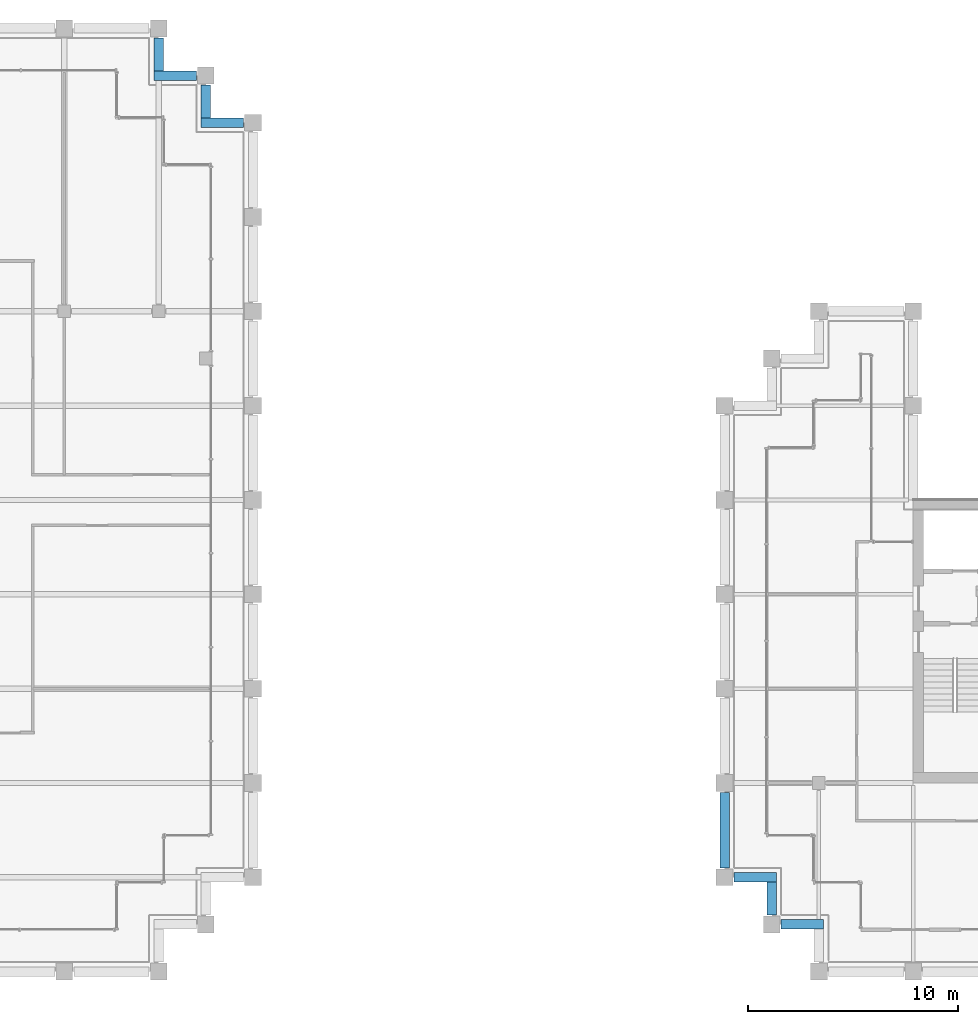
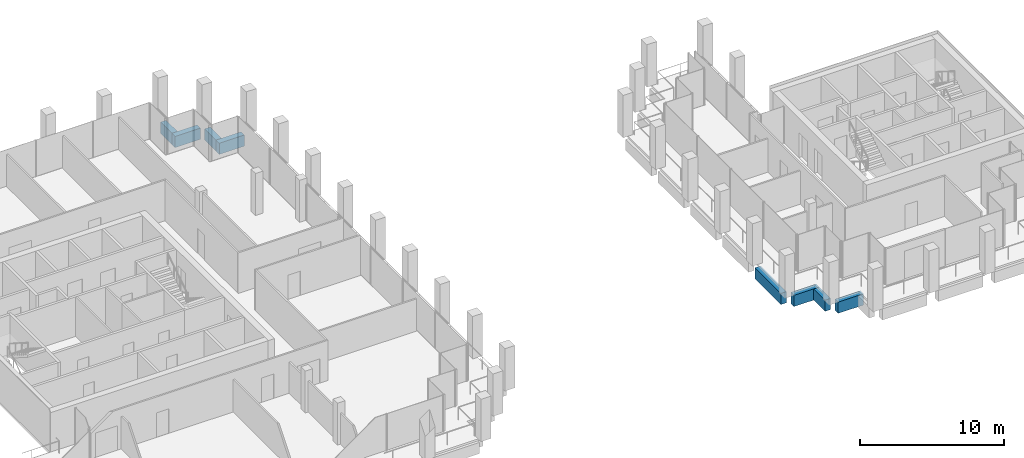
# One storey, part 27 of 40: 8 beams.
"""IFC4 building model written with IfcOpenShell, lengths in metres."""

from ifc_helpers import new_model, si_unit, direction, frame, origin, origin_2d, place, context, subcontext, project, spatial, rectangle, extrude, material, material_profile, profile_set, type_object, element, save


model = new_model("IFC4")

# Units and contexts
model_context = context("Model", 3, precision=1e-05, world=origin(), true_north=direction((0.0, 1.0)))
body_context = subcontext(model_context, "Body", "Model", "MODEL_VIEW")
ifc_project = project(units=[si_unit("LENGTHUNIT", "METRE"), si_unit("AREAUNIT", "SQUARE_METRE"), si_unit("VOLUMEUNIT", "CUBIC_METRE"), si_unit("PLANEANGLEUNIT", "RADIAN"), si_unit("MASSUNIT", "GRAM", prefix="KILO")], contexts=[model_context])

# Site, building, storey
site_placement = place(None, origin())
site = spatial("IfcSite", under=ifc_project, at=site_placement, CompositionType="ELEMENT")
building_placement = place(site_placement, origin())
building = spatial("IfcBuilding", under=site, at=building_placement, Name="Altepetl Exchange Towers", CompositionType="ELEMENT")
storey_placement = place(building_placement, frame((0.0, 0.0, 195.60009765625)))
storey = spatial("IfcBuildingStorey", under=building, at=storey_placement, Name="L49", CompositionType="ELEMENT", Elevation=195.60009765625)

# Beams
ifc_material_1 = material(Name="Concrete C50/60 precast with cantera rosa facing", Category="concrete")
ifc_material_profile_1 = material_profile(ifc_material_1, rectangle(XDim=0.449951171875, YDim=0.949951171875, at=origin_2d()), Name="450 x 950")
ifc_profile_set_1 = profile_set([ifc_material_profile_1], Name="Concrete C50/60 precast with cantera rosa facing")
beam_type_1 = type_object("IfcBeamType", Name="Spandrel beam 450x950 cantera rosa", PredefinedType="SPANDREL", material=ifc_profile_set_1)
beam_1_placement = place(storey_placement, frame((71.550048828125, 67.5, -0.625), z_axis=(-1.0, 0.0, 0.0), x_axis=(0.0, -1.0, 0.0)))
element("IfcBeam", 1, at=beam_1_placement, inside=storey, type_object=beam_type_1, Name="sp:A:L49:020", PredefinedType="SPANDREL", context=body_context, shape_type="SweptSolid", body=[
    extrude(rectangle(XDim=0.449951171875, YDim=0.949951171875, at=origin_2d()), origin(), (0.0, 0.0, 1.0), 2.025146484375),
])
beam_2_placement = place(storey_placement, frame((69.75, 67.72509765625, -0.625), z_axis=(0.0, 1.0, 0.0), x_axis=(-1.0, 0.0, 0.0)))
element("IfcBeam", 2, at=beam_2_placement, inside=storey, type_object=beam_type_1, Name="sp:A:L49:021", PredefinedType="SPANDREL", context=body_context, shape_type="SweptSolid", body=[
    extrude(rectangle(XDim=0.449951171875, YDim=0.949951171875, at=origin_2d()), origin(), (0.0, 0.0, 1.0), 1.574951171875),
])
beam_3_placement = place(storey_placement, frame((69.300048828125, 69.75, -0.625), z_axis=(-1.0, 0.0, 0.0), x_axis=(0.0, -1.0, 0.0)))
element("IfcBeam", 3, at=beam_3_placement, inside=storey, type_object=beam_type_1, Name="sp:A:L49:022", PredefinedType="SPANDREL", context=body_context, shape_type="SweptSolid", body=[
    extrude(rectangle(XDim=0.449951171875, YDim=0.949951171875, at=origin_2d()), origin(), (0.0, 0.0, 1.0), 2.025146484375),
])
beam_4_placement = place(storey_placement, frame((67.5, 69.97509765625, -0.625), z_axis=(0.0, 1.0, 0.0), x_axis=(-1.0, 0.0, 0.0)))
element("IfcBeam", 4, at=beam_4_placement, inside=storey, type_object=beam_type_1, Name="sp:A:L49:023", PredefinedType="SPANDREL", context=body_context, shape_type="SweptSolid", body=[
    extrude(rectangle(XDim=0.449951171875, YDim=0.949951171875, at=origin_2d()), origin(), (0.0, 0.0, 1.0), 1.574951171875),
])
ifc_material_2 = material(Name="Concrete C50/60 precast with tezontle facing", Category="concrete")
ifc_material_profile_2 = material_profile(ifc_material_2, rectangle(XDim=0.449951171875, YDim=0.949951171875, at=origin_2d()), Name="450 x 950")
ifc_profile_set_2 = profile_set([ifc_material_profile_2], Name="Concrete C50/60 precast with tezontle facing")
beam_type_2 = type_object("IfcBeamType", Name="Spandrel beam 450x950 tezontle", PredefinedType="SPANDREL", material=ifc_profile_set_2)
beam_5_placement = place(storey_placement, frame((94.5, 35.550048828125, -0.625), z_axis=(0.0, -1.0, 0.0), x_axis=(1.0, 0.0, 0.0)))
element("IfcBeam", 5, at=beam_5_placement, inside=storey, type_object=beam_type_2, Name="sp:B:L49:019", PredefinedType="SPANDREL", context=body_context, shape_type="SweptSolid", body=[
    extrude(rectangle(XDim=0.449951171875, YDim=0.949951171875, at=origin_2d()), origin(), (0.0, 0.0, 1.0), 3.60009765625),
])
beam_6_placement = place(storey_placement, frame((94.949951171875, 31.5, -0.625), z_axis=(1.0, 0.0, 0.0), x_axis=(0.0, 1.0, 0.0)))
element("IfcBeam", 6, at=beam_6_placement, inside=storey, type_object=beam_type_2, Name="sp:B:L49:020", PredefinedType="SPANDREL", context=body_context, shape_type="SweptSolid", body=[
    extrude(rectangle(XDim=0.449951171875, YDim=0.949951171875, at=origin_2d()), origin(), (0.0, 0.0, 1.0), 2.025146484375),
])
beam_7_placement = place(storey_placement, frame((96.75, 31.27490234375, -0.625), z_axis=(0.0, -1.0, 0.0), x_axis=(1.0, 0.0, 0.0)))
element("IfcBeam", 7, at=beam_7_placement, inside=storey, type_object=beam_type_2, Name="sp:B:L49:021", PredefinedType="SPANDREL", context=body_context, shape_type="SweptSolid", body=[
    extrude(rectangle(XDim=0.449951171875, YDim=0.949951171875, at=origin_2d()), origin(), (0.0, 0.0, 1.0), 1.574951171875),
])
beam_8_placement = place(storey_placement, frame((97.199951171875, 29.25, -0.625), z_axis=(1.0, 0.0, 0.0), x_axis=(0.0, 1.0, 0.0)))
element("IfcBeam", 8, at=beam_8_placement, inside=storey, type_object=beam_type_2, Name="sp:B:L49:022", PredefinedType="SPANDREL", context=body_context, shape_type="SweptSolid", body=[
    extrude(rectangle(XDim=0.449951171875, YDim=0.949951171875, at=origin_2d()), origin(), (0.0, 0.0, 1.0), 2.025146484375),
])

save(model, "model.ifc")
